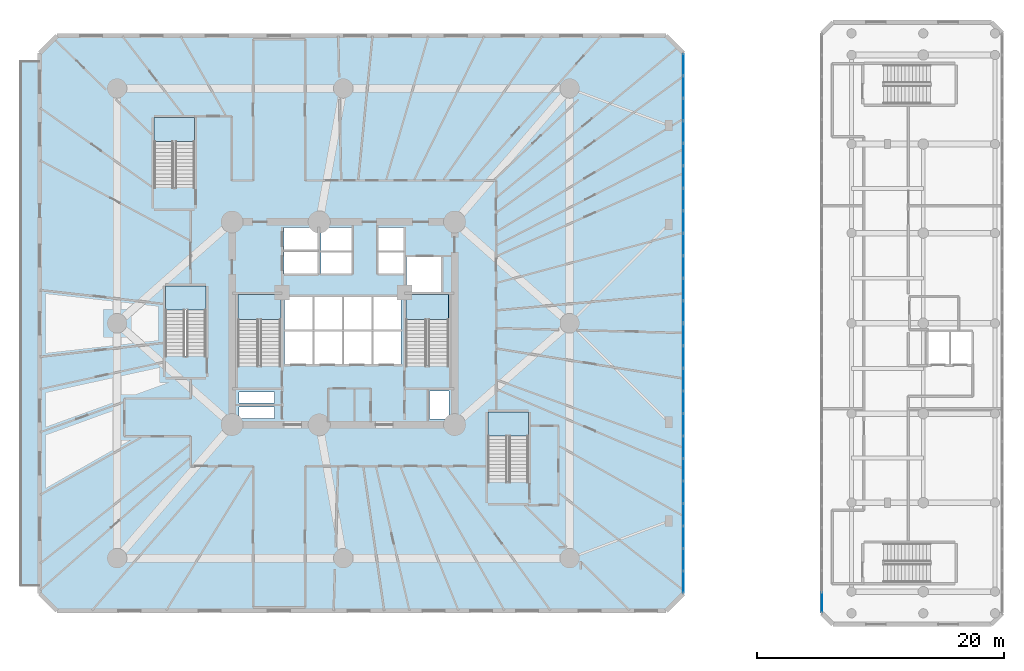
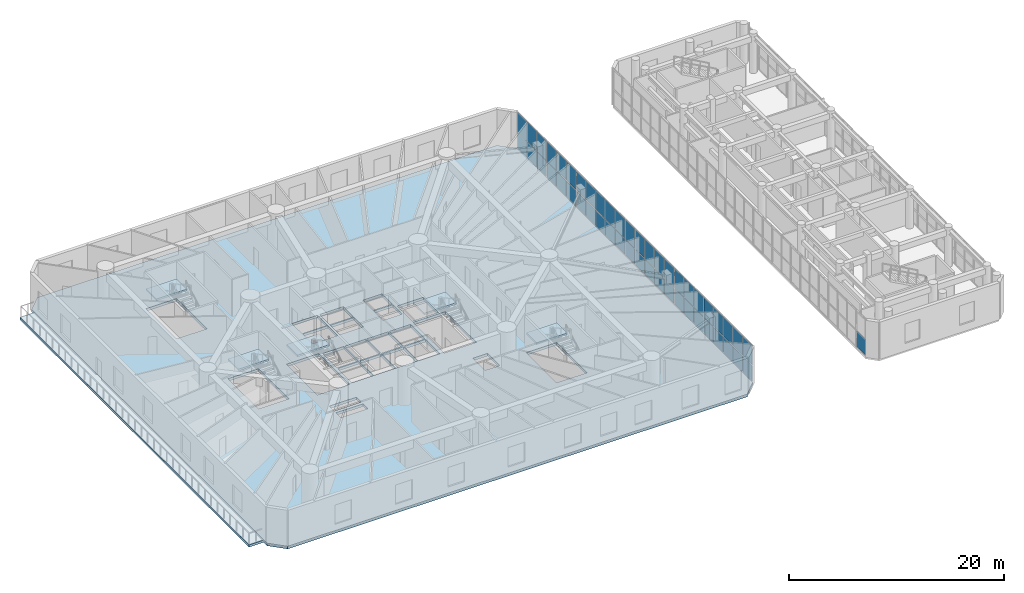
# One storey, part 10 of 26: 49 plates, 7 slabs, 8 elements without a shape of their own.
"""IFC4 building model written with IfcOpenShell, lengths in metres."""

from ifc_helpers import new_model, si_unit, direction, frame, origin, origin_with_axes, origin_2d, place, context, subcontext, project, spatial, polyline, rectangle, outline, extrude, source, transform, mapped, material, layer, layer_set, type_object, element, aggregate, save


model = new_model("IFC4")

# Units and contexts
model_context = context("Model", 3, precision=1e-05, world=origin(), true_north=direction((0.0, 1.0)))
body_context = subcontext(model_context, "Body", "Model", "MODEL_VIEW")
ifc_project = project(units=[si_unit("LENGTHUNIT", "METRE"), si_unit("AREAUNIT", "SQUARE_METRE"), si_unit("VOLUMEUNIT", "CUBIC_METRE"), si_unit("PLANEANGLEUNIT", "RADIAN"), si_unit("MASSUNIT", "GRAM", prefix="KILO")], contexts=[model_context])

# Site, building, storey
site_placement = place(None, origin())
site = spatial("IfcSite", under=ifc_project, at=site_placement, CompositionType="ELEMENT")
building_placement = place(site_placement, origin())
building = spatial("IfcBuilding", under=site, at=building_placement, Name="Karkom Vertical University and Central Library", CompositionType="ELEMENT")
storey_placement = place(building_placement, frame((0.0, 0.0, 9.0)))
storey = spatial("IfcBuildingStorey", under=building, at=storey_placement, Name="L02", CompositionType="ELEMENT", Elevation=9.0)

# Stair, slab
ifc_material_1 = material(Name="Concrete C45/55", Category="concrete")
stair_type_1 = type_object("IfcStairType", Name="INT-STR-ST-MAIN", PredefinedType="HALF_TURN_STAIR", material=ifc_material_1)
stair_1_placement = place(storey_placement, origin())
stair_1 = element("IfcStair", 1, at=stair_1_placement, inside=storey, type_object=stair_type_1, Name="Level 02 Tower Protected Exit Stair ST-1", PredefinedType="HALF_TURN_STAIR")
ifc_layer_1 = layer(ifc_material_1, 0.199951171875)
ifc_layer_set_1 = layer_set([ifc_layer_1], Name="Concrete C45/55")
slab_type_1 = type_object("IfcSlabType", Name="INT-SLB-LANDING", PredefinedType="LANDING", material=ifc_layer_set_1)
slab_1_placement = place(storey_placement, frame((0.0, 0.0, 2.050048828125)))
slab_1 = element("IfcSlab", 2, at=slab_1_placement, type_object=slab_type_1, Name="ST-1 landing 1", PredefinedType="LANDING", context=body_context, shape_type="SweptSolid", body=[
    extrude(outline(polyline([(23.43994140625, 26.7900390625), (23.43994140625, 28.820068359375), (19.97998046875, 28.820068359375), (19.97998046875, 26.7900390625), (23.43994140625, 26.7900390625)])), origin(), (0.0, 0.0, 1.0), 0.199951171875),
])
aggregate(stair_1, [slab_1])

stair_2_placement = place(storey_placement, origin())
stair_2 = element("IfcStair", 3, at=stair_2_placement, inside=storey, type_object=stair_type_1, Name="Level 02 Tower Protected Exit Stair ST-2", PredefinedType="HALF_TURN_STAIR")
slab_2_placement = place(storey_placement, frame((0.0, 0.0, 2.050048828125)))
slab_2 = element("IfcSlab", 4, at=slab_2_placement, type_object=slab_type_1, Name="ST-2 landing 1", PredefinedType="LANDING", context=body_context, shape_type="SweptSolid", body=[
    extrude(outline(polyline([(37.02001953125, 26.7900390625), (37.02001953125, 28.820068359375), (33.56005859375, 28.820068359375), (33.56005859375, 26.7900390625), (37.02001953125, 26.7900390625)])), origin(), (0.0, 0.0, 1.0), 0.199951171875),
])
aggregate(stair_2, [slab_2])

stair_type_2 = type_object("IfcStairType", Name="INT-STR-ST-SEC", PredefinedType="HALF_TURN_STAIR", material=ifc_material_1)
stair_3_placement = place(storey_placement, origin())
stair_3 = element("IfcStair", 5, at=stair_3_placement, inside=storey, type_object=stair_type_2, Name="Level 02 Academic Zone Protected Exit Stair ST-3", PredefinedType="HALF_TURN_STAIR")
slab_3_placement = place(storey_placement, frame((0.0, 0.0, 2.050048828125)))
slab_3 = element("IfcSlab", 6, at=slab_3_placement, type_object=slab_type_1, Name="ST-3 landing 1", PredefinedType="LANDING", context=body_context, shape_type="SweptSolid", body=[
    extrude(outline(polyline([(17.3798828125, 27.570068359375), (17.3798828125, 29.5), (14.1201171875, 29.5), (14.1201171875, 27.570068359375), (17.3798828125, 27.570068359375)])), origin(), (0.0, 0.0, 1.0), 0.199951171875),
])
aggregate(stair_3, [slab_3])

stair_4_placement = place(storey_placement, origin())
stair_4 = element("IfcStair", 7, at=stair_4_placement, inside=storey, type_object=stair_type_2, Name="Level 02 Podium Terraced Feature Stair POD-ST1", PredefinedType="HALF_TURN_STAIR")
slab_4_placement = place(storey_placement, frame((0.0, 0.0, 2.050048828125)))
slab_4 = element("IfcSlab", 8, at=slab_4_placement, type_object=slab_type_1, Name="POD-ST1 landing 1", PredefinedType="LANDING", context=body_context, shape_type="SweptSolid", body=[
    extrude(outline(polyline([(43.4599609375, 17.39990234375), (43.4599609375, 19.330078125), (40.199951171875, 19.330078125), (40.199951171875, 17.39990234375), (43.4599609375, 17.39990234375)])), origin(), (0.0, 0.0, 1.0), 0.199951171875),
])
aggregate(stair_4, [slab_4])

stair_5_placement = place(storey_placement, origin())
stair_5 = element("IfcStair", 9, at=stair_5_placement, inside=storey, type_object=stair_type_2, Name="Level 02 Podium Gallery Stair POD-ST2", PredefinedType="HALF_TURN_STAIR")
slab_5_placement = place(storey_placement, frame((0.0, 0.0, 2.050048828125)))
slab_5 = element("IfcSlab", 10, at=slab_5_placement, type_object=slab_type_1, Name="POD-ST2 landing 1", PredefinedType="LANDING", context=body_context, shape_type="SweptSolid", body=[
    extrude(outline(polyline([(16.4599609375, 41.199951171875), (16.4599609375, 43.1298828125), (13.199951171875, 43.1298828125), (13.199951171875, 41.199951171875), (16.4599609375, 41.199951171875)])), origin(), (0.0, 0.0, 1.0), 0.199951171875),
])
aggregate(stair_5, [slab_5])

# Slabs
ifc_layer_2 = layer(ifc_material_1, 0.300048828125)
ifc_layer_set_2 = layer_set([ifc_layer_2], Name="Concrete C45/55")
slab_type_2 = type_object("IfcSlabType", Name="STR-SLB-FLR-300", PredefinedType="FLOOR", material=ifc_layer_set_2)
slab_6_placement = place(storey_placement, frame((0.0, 0.0, -0.300048828125)))
element("IfcSlab", 11, at=slab_6_placement, inside=storey, type_object=slab_type_2, Name="Level 02 Tower Podium Floor Slab", PredefinedType="FLOOR", context=body_context, shape_type="SweptSolid", body=[
    extrude(outline(polyline([(5.35009765625, 3.25), (54.60009765625, 3.25), (56.0, 4.64990234375), (56.0, 48.35009765625), (54.60009765625, 49.75), (5.35009765625, 49.75), (3.949951171875, 48.35009765625), (3.949951171875, 4.64990234375), (5.35009765625, 3.25)]), holes=[polyline([(19.97998046875, 23.0849609375), (23.43994140625, 23.0849609375), (23.43994140625, 28.820068359375), (19.97998046875, 28.820068359375), (19.97998046875, 23.0849609375)]), polyline([(33.56005859375, 23.0849609375), (37.02001953125, 23.0849609375), (37.02001953125, 28.820068359375), (33.56005859375, 28.820068359375), (33.56005859375, 23.0849609375)]), polyline([(14.1201171875, 23.864990234375), (17.3798828125, 23.864990234375), (17.3798828125, 29.5), (14.1201171875, 29.5), (14.1201171875, 23.864990234375)]), polyline([(40.199951171875, 13.695068359375), (43.4599609375, 13.695068359375), (43.4599609375, 19.330078125), (40.199951171875, 19.330078125), (40.199951171875, 13.695068359375)]), polyline([(13.199951171875, 37.4951171875), (16.4599609375, 37.4951171875), (16.4599609375, 43.1298828125), (13.199951171875, 43.1298828125), (13.199951171875, 37.4951171875)]), polyline([(23.75, 23.199951171875), (26.030029296875, 23.199951171875), (26.030029296875, 25.85009765625), (23.75, 25.85009765625), (23.75, 23.199951171875)]), polyline([(26.1298828125, 23.199951171875), (28.409912109375, 23.199951171875), (28.409912109375, 25.85009765625), (26.1298828125, 25.85009765625), (26.1298828125, 23.199951171875)]), polyline([(28.510009765625, 23.199951171875), (30.7900390625, 23.199951171875), (30.7900390625, 25.85009765625), (28.510009765625, 25.85009765625), (28.510009765625, 23.199951171875)]), polyline([(30.889892578125, 23.199951171875), (33.169921875, 23.199951171875), (33.169921875, 25.85009765625), (30.889892578125, 25.85009765625), (30.889892578125, 23.199951171875)]), polyline([(23.75, 26.0), (26.030029296875, 26.0), (26.030029296875, 28.64990234375), (23.75, 28.64990234375), (23.75, 26.0)]), polyline([(26.1298828125, 26.0), (28.409912109375, 26.0), (28.409912109375, 28.64990234375), (26.1298828125, 28.64990234375), (26.1298828125, 26.0)]), polyline([(28.510009765625, 26.0), (30.7900390625, 26.0), (30.7900390625, 28.64990234375), (28.510009765625, 28.64990234375), (28.510009765625, 26.0)]), polyline([(30.889892578125, 26.0), (33.169921875, 26.0), (33.169921875, 28.64990234375), (30.889892578125, 28.64990234375), (30.889892578125, 26.0)]), polyline([(26.679931640625, 30.5), (29.199951171875, 30.5), (29.199951171875, 32.25), (26.679931640625, 32.25), (26.679931640625, 30.5)]), polyline([(26.679931640625, 32.39990234375), (29.199951171875, 32.39990234375), (29.199951171875, 34.25), (26.679931640625, 34.25), (26.679931640625, 32.39990234375)]), polyline([(31.300048828125, 30.5), (33.35009765625, 30.5), (33.35009765625, 32.25), (31.300048828125, 32.25), (31.300048828125, 30.5)]), polyline([(31.300048828125, 32.39990234375), (33.35009765625, 32.39990234375), (33.35009765625, 34.25), (31.300048828125, 34.25), (31.300048828125, 32.39990234375)]), polyline([(23.719970703125, 30.47998046875), (26.429931640625, 30.47998046875), (26.429931640625, 32.320068359375), (23.719970703125, 32.320068359375), (23.719970703125, 30.47998046875)]), polyline([(23.719970703125, 32.419921875), (26.429931640625, 32.419921875), (26.429931640625, 34.260009765625), (23.719970703125, 34.260009765625), (23.719970703125, 32.419921875)]), polyline([(33.60009765625, 29.050048828125), (36.39990234375, 29.050048828125), (36.39990234375, 31.85009765625), (33.60009765625, 31.85009765625), (33.60009765625, 29.050048828125)]), polyline([(20.050048828125, 18.820068359375), (22.949951171875, 18.820068359375), (22.949951171875, 19.719970703125), (20.050048828125, 19.719970703125), (20.050048828125, 18.820068359375)]), polyline([(20.050048828125, 20.06005859375), (22.949951171875, 20.06005859375), (22.949951171875, 20.9599609375), (20.050048828125, 20.9599609375), (20.050048828125, 20.06005859375)]), polyline([(35.4599609375, 18.760009765625), (37.0400390625, 18.760009765625), (37.0400390625, 21.010009765625), (35.4599609375, 21.010009765625), (35.4599609375, 18.760009765625)])]), origin(), (0.0, 0.0, 1.0), 0.300048828125),
])
ifc_layer_3 = layer(ifc_material_1, 0.199951171875)
ifc_layer_set_3 = layer_set([ifc_layer_3], Name="Concrete C45/55")
slab_type_3 = type_object("IfcSlabType", Name="STR-SLB-PLN-260", PredefinedType="USERDEFINED", material=ifc_layer_set_3)
slab_7_placement = place(storey_placement, frame((0.0, 0.0, -0.260009765625)))
element("IfcSlab", 12, at=slab_7_placement, inside=storey, type_object=slab_type_3, Name="Level 02 Terraced Podium Planted Roof Garden Planter", ObjectType="PLANTER", PredefinedType="USERDEFINED", context=body_context, shape_type="SweptSolid", body=[
    extrude(outline(polyline([(2.35009765625, 5.25), (3.949951171875, 5.25), (3.949951171875, 47.75), (2.35009765625, 47.75), (2.35009765625, 5.25)])), origin(), (0.0, 0.0, 1.0), 0.260009765625),
])

# Curtain wall, plates
ifc_material_2 = material(Name="Aluminium curtain-wall framing and low-E IGU", Category="aluminium")
ifc_layer_4 = layer(ifc_material_2, 0.199951171875)
ifc_layer_set_4 = layer_set([ifc_layer_4], Name="Aluminium curtain-wall framing and low-E IGU")
curtain_wall_type_1 = type_object("IfcCurtainWallType", Name="ENV-CW-3", PredefinedType="USERDEFINED", material=ifc_layer_set_4)
curtain_wall_1_placement = place(storey_placement, origin())
curtain_wall_1 = element("IfcCurtainWall", 13, at=curtain_wall_1_placement, inside=storey, type_object=curtain_wall_type_1, Name="Level 02 CW-3 Curtain Wall Level 02-CW3-3-1", ObjectType="STICK MULLION GLAZING", PredefinedType="USERDEFINED")
ifc_material_3 = material(Name="Solar-control low-E double glazing 32mm", Category="glass")
ifc_layer_5 = layer(ifc_material_3, 0.031982421875)
ifc_layer_set_5 = layer_set([ifc_layer_5], Name="Solar-control low-E double glazing 32mm")
plate_type_1 = type_object("IfcPlateType", Name="ENV-PLT-GLZ-32", PredefinedType="CURTAIN_PANEL", material=ifc_layer_set_5)
shared_shape_1 = source(origin_with_axes(), body_context, "Body", "SweptSolid", [
    extrude(rectangle(XDim=1.708251953125, YDim=0.031982421875, at=origin_2d()), origin(), (0.0, 0.0, 1.0), 1.777587890625),
])
plate_1_placement = place(storey_placement, frame((56.0, 5.5791015625, 0.0751953125), z_axis=(0.0, 0.0, 1.0), x_axis=(0.0, 1.0, 0.0)))
plate_1 = element("IfcPlate", 14, at=plate_1_placement, type_object=plate_type_1, Name="CW-3 panel 1.1", PredefinedType="CURTAIN_PANEL", context=body_context, shape_type="MappedRepresentation", body=[
    mapped(shared_shape_1, transform((0.0, 0.0, 0.0), scale=1.0)),
])
plate_2_placement = place(storey_placement, frame((56.0, 25.57080078125, 0.0751953125), z_axis=(0.0, 0.0, 1.0), x_axis=(0.0, 1.0, 0.0)))
plate_2 = element("IfcPlate", 15, at=plate_2_placement, type_object=plate_type_1, Name="CW-3 panel 12.1", PredefinedType="CURTAIN_PANEL", context=body_context, shape_type="MappedRepresentation", body=[
    mapped(shared_shape_1, transform((0.0, 0.0, 0.0), scale=1.0)),
])

curtain_wall_2_placement = place(storey_placement, origin())
curtain_wall_2 = element("IfcCurtainWall", 16, at=curtain_wall_2_placement, inside=storey, type_object=curtain_wall_type_1, Name="Level 02 CW-3 Curtain Wall Level 02-CW3-3-2", ObjectType="STICK MULLION GLAZING", PredefinedType="USERDEFINED")
plate_3_placement = place(storey_placement, frame((56.0, 27.42919921875, 0.0751953125), z_axis=(0.0, 0.0, 1.0), x_axis=(0.0, 1.0, 0.0)))
plate_3 = element("IfcPlate", 17, at=plate_3_placement, type_object=plate_type_1, Name="CW-3 panel 1.1", PredefinedType="CURTAIN_PANEL", context=body_context, shape_type="MappedRepresentation", body=[
    mapped(shared_shape_1, transform((0.0, 0.0, 0.0), scale=1.0)),
])
plate_4_placement = place(storey_placement, frame((56.0, 47.4208984375, 0.0751953125), z_axis=(0.0, 0.0, 1.0), x_axis=(0.0, 1.0, 0.0)))
plate_4 = element("IfcPlate", 18, at=plate_4_placement, type_object=plate_type_1, Name="CW-3 panel 12.1", PredefinedType="CURTAIN_PANEL", context=body_context, shape_type="MappedRepresentation", body=[
    mapped(shared_shape_1, transform((0.0, 0.0, 0.0), scale=1.0)),
])

# Plate
shared_shape_2 = source(origin_with_axes(), body_context, "Body", "SweptSolid", [
    extrude(rectangle(XDim=1.708251953125, YDim=0.031982421875, at=origin_2d()), origin(), (0.0, 0.0, 1.0), 2.197509765625),
])
plate_5_placement = place(storey_placement, frame((56.0, 5.5791015625, 1.927734375), z_axis=(0.0, 0.0, 1.0), x_axis=(0.0, 1.0, 0.0)))
plate_5 = element("IfcPlate", 19, at=plate_5_placement, type_object=plate_type_1, Name="CW-3 panel 1.2", PredefinedType="CURTAIN_PANEL", context=body_context, shape_type="MappedRepresentation", body=[
    mapped(shared_shape_2, transform((0.0, 0.0, 0.0), scale=1.0)),
])

plate_6_placement = place(storey_placement, frame((56.0, 25.57080078125, 1.927734375), z_axis=(0.0, 0.0, 1.0), x_axis=(0.0, 1.0, 0.0)))
plate_6 = element("IfcPlate", 20, at=plate_6_placement, type_object=plate_type_1, Name="CW-3 panel 12.2", PredefinedType="CURTAIN_PANEL", context=body_context, shape_type="MappedRepresentation", body=[
    mapped(shared_shape_2, transform((0.0, 0.0, 0.0), scale=1.0)),
])

plate_7_placement = place(storey_placement, frame((56.0, 27.42919921875, 1.927734375), z_axis=(0.0, 0.0, 1.0), x_axis=(0.0, 1.0, 0.0)))
plate_7 = element("IfcPlate", 21, at=plate_7_placement, type_object=plate_type_1, Name="CW-3 panel 1.2", PredefinedType="CURTAIN_PANEL", context=body_context, shape_type="MappedRepresentation", body=[
    mapped(shared_shape_2, transform((0.0, 0.0, 0.0), scale=1.0)),
])

plate_8_placement = place(storey_placement, frame((56.0, 47.4208984375, 1.927734375), z_axis=(0.0, 0.0, 1.0), x_axis=(0.0, 1.0, 0.0)))
plate_8 = element("IfcPlate", 22, at=plate_8_placement, type_object=plate_type_1, Name="CW-3 panel 12.2", PredefinedType="CURTAIN_PANEL", context=body_context, shape_type="MappedRepresentation", body=[
    mapped(shared_shape_2, transform((0.0, 0.0, 0.0), scale=1.0)),
])

shared_shape_3 = source(origin_with_axes(), body_context, "Body", "SweptSolid", [
    extrude(rectangle(XDim=1.745849609375, YDim=0.031982421875, at=origin_2d()), origin(), (0.0, 0.0, 1.0), 1.777587890625),
])
plate_9_placement = place(storey_placement, frame((56.0, 7.38134765625, 0.0751953125), z_axis=(0.0, 0.0, 1.0), x_axis=(0.0, 1.0, 0.0)))
plate_9 = element("IfcPlate", 23, at=plate_9_placement, type_object=plate_type_1, Name="CW-3 panel 2.1", PredefinedType="CURTAIN_PANEL", context=body_context, shape_type="MappedRepresentation", body=[
    mapped(shared_shape_3, transform((0.0, 0.0, 0.0), scale=1.0)),
])

plate_10_placement = place(storey_placement, frame((56.0, 9.2021484375, 0.0751953125), z_axis=(0.0, 0.0, 1.0), x_axis=(0.0, 1.0, 0.0)))
plate_10 = element("IfcPlate", 24, at=plate_10_placement, type_object=plate_type_1, Name="CW-3 panel 3.1", PredefinedType="CURTAIN_PANEL", context=body_context, shape_type="MappedRepresentation", body=[
    mapped(shared_shape_3, transform((0.0, 0.0, 0.0), scale=1.0)),
])

plate_11_placement = place(storey_placement, frame((56.0, 11.02294921875, 0.0751953125), z_axis=(0.0, 0.0, 1.0), x_axis=(0.0, 1.0, 0.0)))
plate_11 = element("IfcPlate", 25, at=plate_11_placement, type_object=plate_type_1, Name="CW-3 panel 4.1", PredefinedType="CURTAIN_PANEL", context=body_context, shape_type="MappedRepresentation", body=[
    mapped(shared_shape_3, transform((0.0, 0.0, 0.0), scale=1.0)),
])

plate_12_placement = place(storey_placement, frame((56.0, 12.84375, 0.0751953125), z_axis=(0.0, 0.0, 1.0), x_axis=(0.0, 1.0, 0.0)))
plate_12 = element("IfcPlate", 26, at=plate_12_placement, type_object=plate_type_1, Name="CW-3 panel 5.1", PredefinedType="CURTAIN_PANEL", context=body_context, shape_type="MappedRepresentation", body=[
    mapped(shared_shape_3, transform((0.0, 0.0, 0.0), scale=1.0)),
])

plate_13_placement = place(storey_placement, frame((56.0, 14.66455078125, 0.0751953125), z_axis=(0.0, 0.0, 1.0), x_axis=(0.0, 1.0, 0.0)))
plate_13 = element("IfcPlate", 27, at=plate_13_placement, type_object=plate_type_1, Name="CW-3 panel 6.1", PredefinedType="CURTAIN_PANEL", context=body_context, shape_type="MappedRepresentation", body=[
    mapped(shared_shape_3, transform((0.0, 0.0, 0.0), scale=1.0)),
])

plate_14_placement = place(storey_placement, frame((56.0, 16.4853515625, 0.0751953125), z_axis=(0.0, 0.0, 1.0), x_axis=(0.0, 1.0, 0.0)))
plate_14 = element("IfcPlate", 28, at=plate_14_placement, type_object=plate_type_1, Name="CW-3 panel 7.1", PredefinedType="CURTAIN_PANEL", context=body_context, shape_type="MappedRepresentation", body=[
    mapped(shared_shape_3, transform((0.0, 0.0, 0.0), scale=1.0)),
])

plate_15_placement = place(storey_placement, frame((56.0, 18.30615234375, 0.0751953125), z_axis=(0.0, 0.0, 1.0), x_axis=(0.0, 1.0, 0.0)))
plate_15 = element("IfcPlate", 29, at=plate_15_placement, type_object=plate_type_1, Name="CW-3 panel 8.1", PredefinedType="CURTAIN_PANEL", context=body_context, shape_type="MappedRepresentation", body=[
    mapped(shared_shape_3, transform((0.0, 0.0, 0.0), scale=1.0)),
])

plate_16_placement = place(storey_placement, frame((56.0, 20.127197265625, 0.0751953125), z_axis=(0.0, 0.0, 1.0), x_axis=(0.0, 1.0, 0.0)))
plate_16 = element("IfcPlate", 30, at=plate_16_placement, type_object=plate_type_1, Name="CW-3 panel 9.1", PredefinedType="CURTAIN_PANEL", context=body_context, shape_type="MappedRepresentation", body=[
    mapped(shared_shape_3, transform((0.0, 0.0, 0.0), scale=1.0)),
])

plate_17_placement = place(storey_placement, frame((56.0, 21.947998046875, 0.0751953125), z_axis=(0.0, 0.0, 1.0), x_axis=(0.0, 1.0, 0.0)))
plate_17 = element("IfcPlate", 31, at=plate_17_placement, type_object=plate_type_1, Name="CW-3 panel 10.1", PredefinedType="CURTAIN_PANEL", context=body_context, shape_type="MappedRepresentation", body=[
    mapped(shared_shape_3, transform((0.0, 0.0, 0.0), scale=1.0)),
])

plate_18_placement = place(storey_placement, frame((56.0, 23.768798828125, 0.0751953125), z_axis=(0.0, 0.0, 1.0), x_axis=(0.0, 1.0, 0.0)))
plate_18 = element("IfcPlate", 32, at=plate_18_placement, type_object=plate_type_1, Name="CW-3 panel 11.1", PredefinedType="CURTAIN_PANEL", context=body_context, shape_type="MappedRepresentation", body=[
    mapped(shared_shape_3, transform((0.0, 0.0, 0.0), scale=1.0)),
])

plate_19_placement = place(storey_placement, frame((56.0, 29.231201171875, 0.0751953125), z_axis=(0.0, 0.0, 1.0), x_axis=(0.0, 1.0, 0.0)))
plate_19 = element("IfcPlate", 33, at=plate_19_placement, type_object=plate_type_1, Name="CW-3 panel 2.1", PredefinedType="CURTAIN_PANEL", context=body_context, shape_type="MappedRepresentation", body=[
    mapped(shared_shape_3, transform((0.0, 0.0, 0.0), scale=1.0)),
])

plate_20_placement = place(storey_placement, frame((56.0, 31.052001953125, 0.0751953125), z_axis=(0.0, 0.0, 1.0), x_axis=(0.0, 1.0, 0.0)))
plate_20 = element("IfcPlate", 34, at=plate_20_placement, type_object=plate_type_1, Name="CW-3 panel 3.1", PredefinedType="CURTAIN_PANEL", context=body_context, shape_type="MappedRepresentation", body=[
    mapped(shared_shape_3, transform((0.0, 0.0, 0.0), scale=1.0)),
])

plate_21_placement = place(storey_placement, frame((56.0, 32.872802734375, 0.0751953125), z_axis=(0.0, 0.0, 1.0), x_axis=(0.0, 1.0, 0.0)))
plate_21 = element("IfcPlate", 35, at=plate_21_placement, type_object=plate_type_1, Name="CW-3 panel 4.1", PredefinedType="CURTAIN_PANEL", context=body_context, shape_type="MappedRepresentation", body=[
    mapped(shared_shape_3, transform((0.0, 0.0, 0.0), scale=1.0)),
])

plate_22_placement = place(storey_placement, frame((56.0, 34.69384765625, 0.0751953125), z_axis=(0.0, 0.0, 1.0), x_axis=(0.0, 1.0, 0.0)))
plate_22 = element("IfcPlate", 36, at=plate_22_placement, type_object=plate_type_1, Name="CW-3 panel 5.1", PredefinedType="CURTAIN_PANEL", context=body_context, shape_type="MappedRepresentation", body=[
    mapped(shared_shape_3, transform((0.0, 0.0, 0.0), scale=1.0)),
])

plate_23_placement = place(storey_placement, frame((56.0, 36.5146484375, 0.0751953125), z_axis=(0.0, 0.0, 1.0), x_axis=(0.0, 1.0, 0.0)))
plate_23 = element("IfcPlate", 37, at=plate_23_placement, type_object=plate_type_1, Name="CW-3 panel 6.1", PredefinedType="CURTAIN_PANEL", context=body_context, shape_type="MappedRepresentation", body=[
    mapped(shared_shape_3, transform((0.0, 0.0, 0.0), scale=1.0)),
])

plate_24_placement = place(storey_placement, frame((56.0, 38.33544921875, 0.0751953125), z_axis=(0.0, 0.0, 1.0), x_axis=(0.0, 1.0, 0.0)))
plate_24 = element("IfcPlate", 38, at=plate_24_placement, type_object=plate_type_1, Name="CW-3 panel 7.1", PredefinedType="CURTAIN_PANEL", context=body_context, shape_type="MappedRepresentation", body=[
    mapped(shared_shape_3, transform((0.0, 0.0, 0.0), scale=1.0)),
])

plate_25_placement = place(storey_placement, frame((56.0, 40.15625, 0.0751953125), z_axis=(0.0, 0.0, 1.0), x_axis=(0.0, 1.0, 0.0)))
plate_25 = element("IfcPlate", 39, at=plate_25_placement, type_object=plate_type_1, Name="CW-3 panel 8.1", PredefinedType="CURTAIN_PANEL", context=body_context, shape_type="MappedRepresentation", body=[
    mapped(shared_shape_3, transform((0.0, 0.0, 0.0), scale=1.0)),
])

plate_26_placement = place(storey_placement, frame((56.0, 41.97705078125, 0.0751953125), z_axis=(0.0, 0.0, 1.0), x_axis=(0.0, 1.0, 0.0)))
plate_26 = element("IfcPlate", 40, at=plate_26_placement, type_object=plate_type_1, Name="CW-3 panel 9.1", PredefinedType="CURTAIN_PANEL", context=body_context, shape_type="MappedRepresentation", body=[
    mapped(shared_shape_3, transform((0.0, 0.0, 0.0), scale=1.0)),
])

plate_27_placement = place(storey_placement, frame((56.0, 43.7978515625, 0.0751953125), z_axis=(0.0, 0.0, 1.0), x_axis=(0.0, 1.0, 0.0)))
plate_27 = element("IfcPlate", 41, at=plate_27_placement, type_object=plate_type_1, Name="CW-3 panel 10.1", PredefinedType="CURTAIN_PANEL", context=body_context, shape_type="MappedRepresentation", body=[
    mapped(shared_shape_3, transform((0.0, 0.0, 0.0), scale=1.0)),
])

plate_28_placement = place(storey_placement, frame((56.0, 45.61865234375, 0.0751953125), z_axis=(0.0, 0.0, 1.0), x_axis=(0.0, 1.0, 0.0)))
plate_28 = element("IfcPlate", 42, at=plate_28_placement, type_object=plate_type_1, Name="CW-3 panel 11.1", PredefinedType="CURTAIN_PANEL", context=body_context, shape_type="MappedRepresentation", body=[
    mapped(shared_shape_3, transform((0.0, 0.0, 0.0), scale=1.0)),
])

shared_shape_4 = source(origin_with_axes(), body_context, "Body", "SweptSolid", [
    extrude(rectangle(XDim=1.745849609375, YDim=0.031982421875, at=origin_2d()), origin(), (0.0, 0.0, 1.0), 2.197509765625),
])
plate_29_placement = place(storey_placement, frame((56.0, 7.38134765625, 1.927734375), z_axis=(0.0, 0.0, 1.0), x_axis=(0.0, 1.0, 0.0)))
plate_29 = element("IfcPlate", 43, at=plate_29_placement, type_object=plate_type_1, Name="CW-3 panel 2.2", PredefinedType="CURTAIN_PANEL", context=body_context, shape_type="MappedRepresentation", body=[
    mapped(shared_shape_4, transform((0.0, 0.0, 0.0), scale=1.0)),
])

plate_30_placement = place(storey_placement, frame((56.0, 9.2021484375, 1.927734375), z_axis=(0.0, 0.0, 1.0), x_axis=(0.0, 1.0, 0.0)))
plate_30 = element("IfcPlate", 44, at=plate_30_placement, type_object=plate_type_1, Name="CW-3 panel 3.2", PredefinedType="CURTAIN_PANEL", context=body_context, shape_type="MappedRepresentation", body=[
    mapped(shared_shape_4, transform((0.0, 0.0, 0.0), scale=1.0)),
])

plate_31_placement = place(storey_placement, frame((56.0, 11.02294921875, 1.927734375), z_axis=(0.0, 0.0, 1.0), x_axis=(0.0, 1.0, 0.0)))
plate_31 = element("IfcPlate", 45, at=plate_31_placement, type_object=plate_type_1, Name="CW-3 panel 4.2", PredefinedType="CURTAIN_PANEL", context=body_context, shape_type="MappedRepresentation", body=[
    mapped(shared_shape_4, transform((0.0, 0.0, 0.0), scale=1.0)),
])

plate_32_placement = place(storey_placement, frame((56.0, 12.84375, 1.927734375), z_axis=(0.0, 0.0, 1.0), x_axis=(0.0, 1.0, 0.0)))
plate_32 = element("IfcPlate", 46, at=plate_32_placement, type_object=plate_type_1, Name="CW-3 panel 5.2", PredefinedType="CURTAIN_PANEL", context=body_context, shape_type="MappedRepresentation", body=[
    mapped(shared_shape_4, transform((0.0, 0.0, 0.0), scale=1.0)),
])

plate_33_placement = place(storey_placement, frame((56.0, 14.66455078125, 1.927734375), z_axis=(0.0, 0.0, 1.0), x_axis=(0.0, 1.0, 0.0)))
plate_33 = element("IfcPlate", 47, at=plate_33_placement, type_object=plate_type_1, Name="CW-3 panel 6.2", PredefinedType="CURTAIN_PANEL", context=body_context, shape_type="MappedRepresentation", body=[
    mapped(shared_shape_4, transform((0.0, 0.0, 0.0), scale=1.0)),
])

plate_34_placement = place(storey_placement, frame((56.0, 16.4853515625, 1.927734375), z_axis=(0.0, 0.0, 1.0), x_axis=(0.0, 1.0, 0.0)))
plate_34 = element("IfcPlate", 48, at=plate_34_placement, type_object=plate_type_1, Name="CW-3 panel 7.2", PredefinedType="CURTAIN_PANEL", context=body_context, shape_type="MappedRepresentation", body=[
    mapped(shared_shape_4, transform((0.0, 0.0, 0.0), scale=1.0)),
])

plate_35_placement = place(storey_placement, frame((56.0, 18.30615234375, 1.927734375), z_axis=(0.0, 0.0, 1.0), x_axis=(0.0, 1.0, 0.0)))
plate_35 = element("IfcPlate", 49, at=plate_35_placement, type_object=plate_type_1, Name="CW-3 panel 8.2", PredefinedType="CURTAIN_PANEL", context=body_context, shape_type="MappedRepresentation", body=[
    mapped(shared_shape_4, transform((0.0, 0.0, 0.0), scale=1.0)),
])

plate_36_placement = place(storey_placement, frame((56.0, 20.127197265625, 1.927734375), z_axis=(0.0, 0.0, 1.0), x_axis=(0.0, 1.0, 0.0)))
plate_36 = element("IfcPlate", 50, at=plate_36_placement, type_object=plate_type_1, Name="CW-3 panel 9.2", PredefinedType="CURTAIN_PANEL", context=body_context, shape_type="MappedRepresentation", body=[
    mapped(shared_shape_4, transform((0.0, 0.0, 0.0), scale=1.0)),
])

plate_37_placement = place(storey_placement, frame((56.0, 21.947998046875, 1.927734375), z_axis=(0.0, 0.0, 1.0), x_axis=(0.0, 1.0, 0.0)))
plate_37 = element("IfcPlate", 51, at=plate_37_placement, type_object=plate_type_1, Name="CW-3 panel 10.2", PredefinedType="CURTAIN_PANEL", context=body_context, shape_type="MappedRepresentation", body=[
    mapped(shared_shape_4, transform((0.0, 0.0, 0.0), scale=1.0)),
])

plate_38_placement = place(storey_placement, frame((56.0, 23.768798828125, 1.927734375), z_axis=(0.0, 0.0, 1.0), x_axis=(0.0, 1.0, 0.0)))
plate_38 = element("IfcPlate", 52, at=plate_38_placement, type_object=plate_type_1, Name="CW-3 panel 11.2", PredefinedType="CURTAIN_PANEL", context=body_context, shape_type="MappedRepresentation", body=[
    mapped(shared_shape_4, transform((0.0, 0.0, 0.0), scale=1.0)),
])

aggregate(curtain_wall_1, [plate_1, plate_5, plate_9, plate_29, plate_10, plate_30, plate_11, plate_31, plate_12, plate_32, plate_13, plate_33, plate_14, plate_34, plate_15, plate_35, plate_16, plate_36, plate_17, plate_37, plate_18, plate_38, plate_2, plate_6])

plate_39_placement = place(storey_placement, frame((56.0, 29.231201171875, 1.927734375), z_axis=(0.0, 0.0, 1.0), x_axis=(0.0, 1.0, 0.0)))
plate_39 = element("IfcPlate", 53, at=plate_39_placement, type_object=plate_type_1, Name="CW-3 panel 2.2", PredefinedType="CURTAIN_PANEL", context=body_context, shape_type="MappedRepresentation", body=[
    mapped(shared_shape_4, transform((0.0, 0.0, 0.0), scale=1.0)),
])

plate_40_placement = place(storey_placement, frame((56.0, 31.052001953125, 1.927734375), z_axis=(0.0, 0.0, 1.0), x_axis=(0.0, 1.0, 0.0)))
plate_40 = element("IfcPlate", 54, at=plate_40_placement, type_object=plate_type_1, Name="CW-3 panel 3.2", PredefinedType="CURTAIN_PANEL", context=body_context, shape_type="MappedRepresentation", body=[
    mapped(shared_shape_4, transform((0.0, 0.0, 0.0), scale=1.0)),
])

plate_41_placement = place(storey_placement, frame((56.0, 32.872802734375, 1.927734375), z_axis=(0.0, 0.0, 1.0), x_axis=(0.0, 1.0, 0.0)))
plate_41 = element("IfcPlate", 55, at=plate_41_placement, type_object=plate_type_1, Name="CW-3 panel 4.2", PredefinedType="CURTAIN_PANEL", context=body_context, shape_type="MappedRepresentation", body=[
    mapped(shared_shape_4, transform((0.0, 0.0, 0.0), scale=1.0)),
])

plate_42_placement = place(storey_placement, frame((56.0, 34.69384765625, 1.927734375), z_axis=(0.0, 0.0, 1.0), x_axis=(0.0, 1.0, 0.0)))
plate_42 = element("IfcPlate", 56, at=plate_42_placement, type_object=plate_type_1, Name="CW-3 panel 5.2", PredefinedType="CURTAIN_PANEL", context=body_context, shape_type="MappedRepresentation", body=[
    mapped(shared_shape_4, transform((0.0, 0.0, 0.0), scale=1.0)),
])

plate_43_placement = place(storey_placement, frame((56.0, 36.5146484375, 1.927734375), z_axis=(0.0, 0.0, 1.0), x_axis=(0.0, 1.0, 0.0)))
plate_43 = element("IfcPlate", 57, at=plate_43_placement, type_object=plate_type_1, Name="CW-3 panel 6.2", PredefinedType="CURTAIN_PANEL", context=body_context, shape_type="MappedRepresentation", body=[
    mapped(shared_shape_4, transform((0.0, 0.0, 0.0), scale=1.0)),
])

plate_44_placement = place(storey_placement, frame((56.0, 38.33544921875, 1.927734375), z_axis=(0.0, 0.0, 1.0), x_axis=(0.0, 1.0, 0.0)))
plate_44 = element("IfcPlate", 58, at=plate_44_placement, type_object=plate_type_1, Name="CW-3 panel 7.2", PredefinedType="CURTAIN_PANEL", context=body_context, shape_type="MappedRepresentation", body=[
    mapped(shared_shape_4, transform((0.0, 0.0, 0.0), scale=1.0)),
])

plate_45_placement = place(storey_placement, frame((56.0, 40.15625, 1.927734375), z_axis=(0.0, 0.0, 1.0), x_axis=(0.0, 1.0, 0.0)))
plate_45 = element("IfcPlate", 59, at=plate_45_placement, type_object=plate_type_1, Name="CW-3 panel 8.2", PredefinedType="CURTAIN_PANEL", context=body_context, shape_type="MappedRepresentation", body=[
    mapped(shared_shape_4, transform((0.0, 0.0, 0.0), scale=1.0)),
])

plate_46_placement = place(storey_placement, frame((56.0, 41.97705078125, 1.927734375), z_axis=(0.0, 0.0, 1.0), x_axis=(0.0, 1.0, 0.0)))
plate_46 = element("IfcPlate", 60, at=plate_46_placement, type_object=plate_type_1, Name="CW-3 panel 9.2", PredefinedType="CURTAIN_PANEL", context=body_context, shape_type="MappedRepresentation", body=[
    mapped(shared_shape_4, transform((0.0, 0.0, 0.0), scale=1.0)),
])

plate_47_placement = place(storey_placement, frame((56.0, 43.7978515625, 1.927734375), z_axis=(0.0, 0.0, 1.0), x_axis=(0.0, 1.0, 0.0)))
plate_47 = element("IfcPlate", 61, at=plate_47_placement, type_object=plate_type_1, Name="CW-3 panel 10.2", PredefinedType="CURTAIN_PANEL", context=body_context, shape_type="MappedRepresentation", body=[
    mapped(shared_shape_4, transform((0.0, 0.0, 0.0), scale=1.0)),
])

plate_48_placement = place(storey_placement, frame((56.0, 45.61865234375, 1.927734375), z_axis=(0.0, 0.0, 1.0), x_axis=(0.0, 1.0, 0.0)))
plate_48 = element("IfcPlate", 62, at=plate_48_placement, type_object=plate_type_1, Name="CW-3 panel 11.2", PredefinedType="CURTAIN_PANEL", context=body_context, shape_type="MappedRepresentation", body=[
    mapped(shared_shape_4, transform((0.0, 0.0, 0.0), scale=1.0)),
])

aggregate(curtain_wall_2, [plate_3, plate_7, plate_19, plate_39, plate_20, plate_40, plate_21, plate_41, plate_22, plate_42, plate_23, plate_43, plate_24, plate_44, plate_25, plate_45, plate_26, plate_46, plate_27, plate_47, plate_28, plate_48, plate_4, plate_8])

# Curtain wall, plate
ifc_layer_6 = layer(ifc_material_2, 0.199951171875)
ifc_layer_set_6 = layer_set([ifc_layer_6], Name="Aluminium curtain-wall framing and low-E IGU")
curtain_wall_type_2 = type_object("IfcCurtainWallType", Name="ENV-CW-1", PredefinedType="USERDEFINED", material=ifc_layer_set_6)
curtain_wall_3_placement = place(storey_placement, origin())
curtain_wall_3 = element("IfcCurtainWall", 63, at=curtain_wall_3_placement, inside=storey, type_object=curtain_wall_type_2, Name="Level 02 CW-1 Curtain Wall Level 02-CW-1-LIB-7", ObjectType="STICK MULLION GLAZING", PredefinedType="USERDEFINED")
ifc_material_4 = material(Name="Solar-control low-E double glazing 28mm", Category="glass")
ifc_layer_7 = layer(ifc_material_4, 0.028076171875)
ifc_layer_set_7 = layer_set([ifc_layer_7], Name="Solar-control low-E double glazing 28mm")
plate_type_2 = type_object("IfcPlateType", Name="ENV-PLT-GLZ-28", PredefinedType="CURTAIN_PANEL", material=ifc_layer_set_7)
shared_shape_5 = source(origin_with_axes(), body_context, "Body", "SweptSolid", [
    extrude(rectangle(XDim=1.632080078125, YDim=0.028076171875, at=origin_2d()), origin(), (0.0, 0.0, 1.0), 1.784912109375),
])
plate_49_placement = place(storey_placement, frame((67.199951171875, 3.93603515625, 0.06982421875), z_axis=(0.0, 0.0, 1.0), x_axis=(0.0, -1.0, 0.0)))
plate_49 = element("IfcPlate", 64, at=plate_49_placement, type_object=plate_type_2, Name="CW-1 panel 27.1", PredefinedType="CURTAIN_PANEL", context=body_context, shape_type="MappedRepresentation", body=[
    mapped(shared_shape_5, transform((0.0, 0.0, 0.0), scale=1.0)),
])
aggregate(curtain_wall_3, [plate_49])

save(model, "model.ifc")
